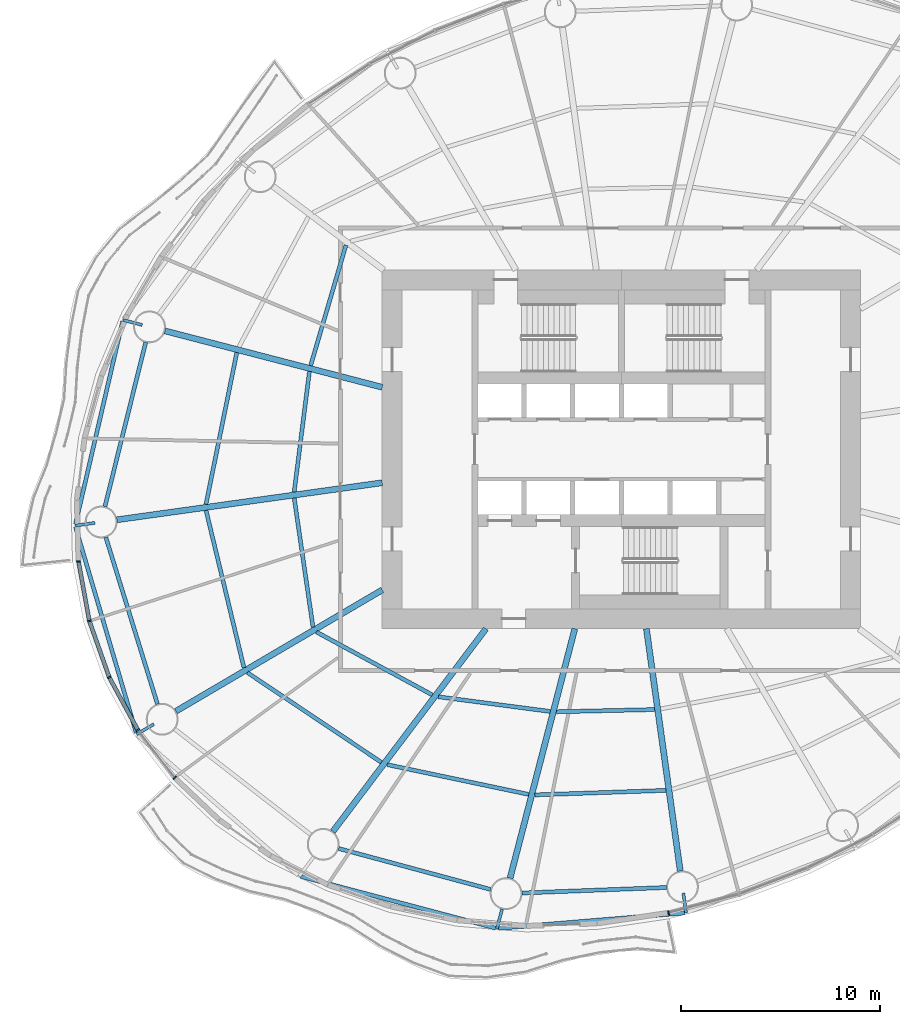
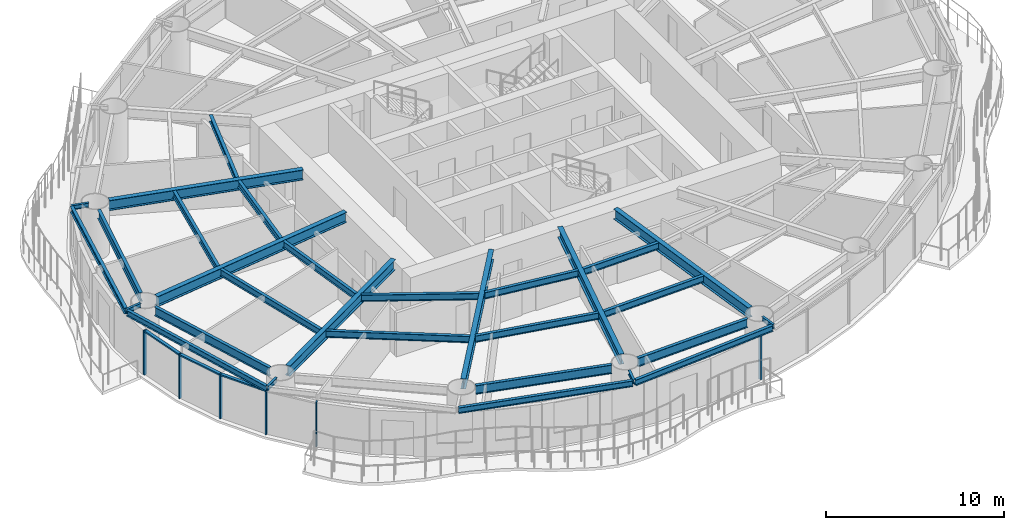
# One storey, part 2 of 15: 30 beams, 9 members, 5 elements without a shape of their own.
"""IFC4 building model written with IfcOpenShell, lengths in metres."""

from ifc_helpers import new_model, si_unit, direction, frame, origin, origin_2d, place, context, subcontext, project, spatial, rectangle, i_section, extrude, material, material_profile, profile_set, type_object, element, aggregate, save


model = new_model("IFC4")

# Units and contexts
model_context = context("Model", 3, precision=1e-05, world=origin(), true_north=direction((0.0, 1.0)))
body_context = subcontext(model_context, "Body", "Model", "MODEL_VIEW")
ifc_project = project(units=[si_unit("LENGTHUNIT", "METRE"), si_unit("AREAUNIT", "SQUARE_METRE"), si_unit("VOLUMEUNIT", "CUBIC_METRE"), si_unit("PLANEANGLEUNIT", "RADIAN"), si_unit("MASSUNIT", "GRAM", prefix="KILO")], contexts=[model_context])

# Site, building, storey
site_placement = place(None, origin())
site = spatial("IfcSite", under=ifc_project, at=site_placement, CompositionType="ELEMENT")
building_placement = place(site_placement, origin())
building = spatial("IfcBuilding", under=site, at=building_placement, Name="Vermilion Reach Broadcast Tower", CompositionType="ELEMENT")
storey_placement = place(building_placement, frame((0.0, 0.0, 128.199951171875)))
storey = spatial("IfcBuildingStorey", under=building, at=storey_placement, Name="L30", CompositionType="ELEMENT", Elevation=128.199951171875)

# Beams
ifc_material_1 = material(Name="Steel S355J2", Category="steel")
ifc_material_profile_1 = material_profile(ifc_material_1, i_section(OverallWidth=0.199951171875, OverallDepth=0.39990234375, WebThickness=0.008056640625, FlangeThickness=0.012939453125, at=origin_2d()), Name="S355J2 HN 400x200x8x13")
ifc_profile_set_1 = profile_set([ifc_material_profile_1], Name="Steel S355J2")
beam_type_1 = type_object("IfcBeamType", Name="EB2 HN 400x200x8x13", PredefinedType="BEAM", material=ifc_profile_set_1)
beam_1_placement = place(storey_placement, frame((-31.028564453125, 6.418701171875, 3.25), z_axis=(-0.226573857574, -0.973993987181, 0.0), x_axis=(0.973993987181, -0.226573857574, 0.0)))
element("IfcBeam", 1, at=beam_1_placement, inside=storey, type_object=beam_type_1, Name="Edge beam EB2-07", PredefinedType="BEAM", context=body_context, shape_type="SweptSolid", body=[
    extrude(i_section(OverallWidth=0.199951171875, OverallDepth=0.39990234375, WebThickness=0.008056640625, FlangeThickness=0.012939453125, at=origin_2d()), origin(), (0.0, 0.0, 1.0), 10.440185546875),
])
beam_2_placement = place(storey_placement, frame((-33.390869140625, -3.90087890625, 3.25), z_axis=(0.282904250586, -0.959148155918, 0.0), x_axis=(0.959148155918, 0.282904250586, 0.0)))
element("IfcBeam", 2, at=beam_2_placement, inside=storey, type_object=beam_type_1, Name="Edge beam EB2-08", PredefinedType="BEAM", context=body_context, shape_type="SweptSolid", body=[
    extrude(i_section(OverallWidth=0.199951171875, OverallDepth=0.39990234375, WebThickness=0.008056640625, FlangeThickness=0.012939453125, at=origin_2d()), origin(), (0.0, 0.0, 1.0), 10.763916015625),
])
beam_3_placement = place(storey_placement, frame((-22.086181640625, -21.432861328125, 3.25), z_axis=(0.966600265472, -0.256288756657, 0.0), x_axis=(0.256288756657, 0.966600265472, 0.0)))
element("IfcBeam", 3, at=beam_3_placement, inside=storey, type_object=beam_type_1, Name="Edge beam EB2-10", PredefinedType="BEAM", context=body_context, shape_type="SweptSolid", body=[
    extrude(i_section(OverallWidth=0.199951171875, OverallDepth=0.39990234375, WebThickness=0.008056640625, FlangeThickness=0.012939453125, at=origin_2d()), origin(), (0.0, 0.0, 1.0), 10.11083984375),
])
beam_4_placement = place(storey_placement, frame((-12.161376953125, -24.036865234375, 3.25), z_axis=(0.996606428797, 0.082314191242, 0.0), x_axis=(-0.082314191242, 0.996606428797, 0.0)))
element("IfcBeam", 4, at=beam_4_placement, inside=storey, type_object=beam_type_1, Name="Edge beam EB2-11", PredefinedType="BEAM", context=body_context, shape_type="SweptSolid", body=[
    extrude(i_section(OverallWidth=0.199951171875, OverallDepth=0.39990234375, WebThickness=0.008056640625, FlangeThickness=0.012939453125, at=origin_2d()), origin(), (0.0, 0.0, 1.0), 9.366455078125),
])
ifc_material_2 = material(Name="Steel S355J2", Category="steel")
ifc_material_profile_2 = material_profile(ifc_material_2, i_section(OverallWidth=0.300048828125, OverallDepth=0.699951171875, WebThickness=0.012939453125, FlangeThickness=0.02392578125, at=origin_2d()), Name="S355J2 HN 700x300x13x24")
ifc_profile_set_2 = profile_set([ifc_material_profile_2], Name="Steel S355J2")
beam_type_2 = type_object("IfcBeamType", Name="G2 HN 700x300x13x24", PredefinedType="BEAM", material=ifc_profile_set_2)
beam_5_placement = place(storey_placement, frame((-18.0, 3.114501953125, 3.10009765625), z_axis=(-0.967926079816, 0.2512351568, 0.0), x_axis=(-0.2512351568, -0.967926079816, 0.0)))
element("IfcBeam", 5, at=beam_5_placement, inside=storey, type_object=beam_type_2, Name="Girder G2-07", PredefinedType="BEAM", context=body_context, shape_type="SweptSolid", body=[
    extrude(i_section(OverallWidth=0.300048828125, OverallDepth=0.699951171875, WebThickness=0.012939453125, FlangeThickness=0.02392578125, at=origin_2d()), origin(), (0.0, 0.0, 1.0), 11.265625),
])
beam_6_placement = place(storey_placement, frame((-18.0, -1.67578125, 3.10009765625), z_axis=(-0.990389457618, -0.138306623986, 0.0), x_axis=(0.138306623986, -0.990389457618, 0.0)))
element("IfcBeam", 6, at=beam_6_placement, inside=storey, type_object=beam_type_2, Name="Girder G2-08", PredefinedType="BEAM", context=body_context, shape_type="SweptSolid", body=[
    extrude(i_section(OverallWidth=0.300048828125, OverallDepth=0.699951171875, WebThickness=0.012939453125, FlangeThickness=0.02392578125, at=origin_2d()), origin(), (0.0, 0.0, 1.0), 13.445556640625),
])
beam_7_placement = place(storey_placement, frame((-18.0, -7.054443359375, 3.10009765625), z_axis=(-0.862071616631, -0.506786471603, 0.0), x_axis=(0.506786471603, -0.862071616631, 0.0)))
element("IfcBeam", 7, at=beam_7_placement, inside=storey, type_object=beam_type_2, Name="Girder G2-09", PredefinedType="BEAM", context=body_context, shape_type="SweptSolid", body=[
    extrude(i_section(OverallWidth=0.300048828125, OverallDepth=0.699951171875, WebThickness=0.012939453125, FlangeThickness=0.02392578125, at=origin_2d()), origin(), (0.0, 0.0, 1.0), 12.01025390625),
])
beam_8_placement = place(storey_placement, frame((-12.794189453125, -9.0, 3.10009765625), z_axis=(-0.602519842365, -0.798103902733, 0.0), x_axis=(0.798103902733, -0.602519842365, 0.0)))
element("IfcBeam", 8, at=beam_8_placement, inside=storey, type_object=beam_type_2, Name="Girder G2-10", PredefinedType="BEAM", context=body_context, shape_type="SweptSolid", body=[
    extrude(i_section(OverallWidth=0.300048828125, OverallDepth=0.699951171875, WebThickness=0.012939453125, FlangeThickness=0.02392578125, at=origin_2d()), origin(), (0.0, 0.0, 1.0), 12.758544921875),
])
beam_9_placement = place(storey_placement, frame((-8.3359375, -9.0, 3.10009765625), z_axis=(-0.25121695316, -0.967930804575, 0.0), x_axis=(0.967930804575, -0.25121695316, 0.0)))
element("IfcBeam", 9, at=beam_9_placement, inside=storey, type_object=beam_type_2, Name="Girder G2-11", PredefinedType="BEAM", context=body_context, shape_type="SweptSolid", body=[
    extrude(i_section(OverallWidth=0.300048828125, OverallDepth=0.699951171875, WebThickness=0.012939453125, FlangeThickness=0.02392578125, at=origin_2d()), origin(), (0.0, 0.0, 1.0), 12.93505859375),
])
beam_10_placement = place(storey_placement, frame((-4.7431640625, -9.0, 3.10009765625), z_axis=(0.138317561234, -0.990387930184, 0.0), x_axis=(0.990387930184, 0.138317561234, 0.0)))
element("IfcBeam", 10, at=beam_10_placement, inside=storey, type_object=beam_type_2, Name="Girder G2-12", PredefinedType="BEAM", context=body_context, shape_type="SweptSolid", body=[
    extrude(i_section(OverallWidth=0.300048828125, OverallDepth=0.699951171875, WebThickness=0.012939453125, FlangeThickness=0.02392578125, at=origin_2d()), origin(), (0.0, 0.0, 1.0), 12.281494140625),
])
ifc_material_3 = material(Name="Steel S355J2", Category="steel")
ifc_material_profile_3 = material_profile(ifc_material_3, i_section(OverallWidth=0.14990234375, OverallDepth=0.300048828125, WebThickness=0.006591796875, FlangeThickness=0.009033203125, at=origin_2d()), Name="S355J2 HN 300x150x6.5x9")
ifc_profile_set_3 = profile_set([ifc_material_profile_3], Name="Steel S355J2")
beam_type_3 = type_object("IfcBeamType", Name="GS2 HN 300x150x6.5x9", PredefinedType="BEAM", material=ifc_profile_set_3)
for number, where, z_axis, x_axis, name in (
    (11, (-30.043701171875, 6.240478515625, 3.300048828125), (-0.967935368459, 0.251199368006, 0.0), (-0.251199368006, -0.967935368459, 0.0), "Cantilever stub GS2-07"),
    (12, (-32.421875, -3.68994140625, 3.300048828125), (-0.990408003315, -0.13817375644, 0.0), (0.13817375644, -0.990408003315, 0.0), "Cantilever stub GS2-08"),
):
    element("IfcBeam", number, at=place(storey_placement, frame(where, z_axis=z_axis, x_axis=x_axis)), inside=storey, type_object=beam_type_3, Name=name, PredefinedType="BEAM", context=body_context, shape_type="SweptSolid", body=[
        extrude(i_section(OverallWidth=0.14990234375, OverallDepth=0.300048828125, WebThickness=0.006591796875, FlangeThickness=0.009033203125, at=origin_2d()), origin(), (0.0, 0.0, 1.0), 1.0),
    ])
beam_11_placement = place(storey_placement, frame((-29.461669921875, -13.79248046875, 3.300048828125), z_axis=(-0.862109854745, -0.506721420853, 0.0), x_axis=(0.506721420853, -0.862109854745, 0.0)))
element("IfcBeam", 13, at=beam_11_placement, inside=storey, type_object=beam_type_3, Name="Cantilever stub GS2-09", PredefinedType="BEAM", context=body_context, shape_type="SweptSolid", body=[
    extrude(i_section(OverallWidth=0.14990234375, OverallDepth=0.300048828125, WebThickness=0.006591796875, FlangeThickness=0.009033203125, at=origin_2d()), origin(), (0.0, 0.0, 1.0), 1.000244140625),
])
beam_12_placement = place(storey_placement, frame((-11.987548828125, -23.06884765625, 3.300048828125), z_axis=(-0.251197763787, -0.967935784786, 0.0), x_axis=(0.967935784786, -0.251197763787, 0.0)))
element("IfcBeam", 14, at=beam_12_placement, inside=storey, type_object=beam_type_3, Name="Cantilever stub GS2-11", PredefinedType="BEAM", context=body_context, shape_type="SweptSolid", body=[
    extrude(i_section(OverallWidth=0.14990234375, OverallDepth=0.300048828125, WebThickness=0.006591796875, FlangeThickness=0.009033203125, at=origin_2d()), origin(), (0.0, 0.0, 1.0), 1.0068359375),
])
beam_13_placement = place(storey_placement, frame((-2.89013671875, -22.269287109375, 3.300048828125), z_axis=(0.138413206764, -0.990374567622, 0.0), x_axis=(0.990374567622, 0.138413206764, 0.0)))
element("IfcBeam", 15, at=beam_13_placement, inside=storey, type_object=beam_type_3, Name="Cantilever stub GS2-12", PredefinedType="BEAM", context=body_context, shape_type="SweptSolid", body=[
    extrude(i_section(OverallWidth=0.14990234375, OverallDepth=0.300048828125, WebThickness=0.006591796875, FlangeThickness=0.009033203125, at=origin_2d()), origin(), (0.0, 0.0, 1.0), 1.0),
])
ifc_material_4 = material(Name="Steel S355J2", Category="steel")
ifc_material_profile_4 = material_profile(ifc_material_4, i_section(OverallWidth=0.199951171875, OverallDepth=0.60009765625, WebThickness=0.010986328125, FlangeThickness=0.01708984375, at=origin_2d()), Name="S355J2 HN 600x200x11x17")
ifc_profile_set_4 = profile_set([ifc_material_profile_4], Name="Steel S355J2")
beam_type_4 = type_object("IfcBeamType", Name="RB2 HN 600x200x11x17", PredefinedType="BEAM", material=ifc_profile_set_4)
beam_14_placement = place(storey_placement, frame((-29.871337890625, 5.369384765625, 3.150146484375), z_axis=(-0.240863809798, -0.970558924089, 0.0), x_axis=(0.970558924089, -0.240863809798, 0.0)))
element("IfcBeam", 16, at=beam_14_placement, inside=storey, type_object=beam_type_4, Name="Ring beam RB2-07", PredefinedType="BEAM", context=body_context, shape_type="SweptSolid", body=[
    extrude(i_section(OverallWidth=0.199951171875, OverallDepth=0.60009765625, WebThickness=0.010986328125, FlangeThickness=0.01708984375, at=origin_2d()), origin(), (0.0, 0.0, 1.0), 8.489013671875),
])
beam_15_placement = place(storey_placement, frame((-31.872314453125, -4.410400390625, 3.150146484375), z_axis=(0.295788439635, -0.95525347368, 0.0), x_axis=(0.95525347368, 0.295788439635, 0.0)))
element("IfcBeam", 17, at=beam_15_placement, inside=storey, type_object=beam_type_4, Name="Ring beam RB2-08", PredefinedType="BEAM", context=body_context, shape_type="SweptSolid", body=[
    extrude(i_section(OverallWidth=0.199951171875, OverallDepth=0.60009765625, WebThickness=0.010986328125, FlangeThickness=0.01708984375, at=origin_2d()), origin(), (0.0, 0.0, 1.0), 8.763916015625),
])
beam_16_placement = place(storey_placement, frame((-20.19091796875, -20.029296875, 3.150146484375), z_axis=(0.965541463834, -0.260249268234, 0.0), x_axis=(0.260249268234, 0.965541463834, 0.0)))
element("IfcBeam", 18, at=beam_16_placement, inside=storey, type_object=beam_type_4, Name="Ring beam RB2-10", PredefinedType="BEAM", context=body_context, shape_type="SweptSolid", body=[
    extrude(i_section(OverallWidth=0.199951171875, OverallDepth=0.60009765625, WebThickness=0.010986328125, FlangeThickness=0.01708984375, at=origin_2d()), origin(), (0.0, 0.0, 1.0), 7.904541015625),
])
beam_17_placement = place(storey_placement, frame((-10.987060546875, -22.263916015625, 3.150146484375), z_axis=(0.999268558327, 0.038240663418, 0.0), x_axis=(-0.038240663418, 0.999268558327, 0.0)))
element("IfcBeam", 19, at=beam_17_placement, inside=storey, type_object=beam_type_4, Name="Ring beam RB2-11", PredefinedType="BEAM", context=body_context, shape_type="SweptSolid", body=[
    extrude(i_section(OverallWidth=0.199951171875, OverallDepth=0.60009765625, WebThickness=0.010986328125, FlangeThickness=0.01708984375, at=origin_2d()), origin(), (0.0, 0.0, 1.0), 7.259033203125),
])
ifc_material_5 = material(Name="Steel S355J2", Category="steel")
ifc_material_profile_5 = material_profile(ifc_material_5, i_section(OverallWidth=0.199951171875, OverallDepth=0.449951171875, WebThickness=0.009033203125, FlangeThickness=0.013916015625, at=origin_2d()), Name="S355J2 HN 450x200x9x14")
ifc_profile_set_5 = profile_set([ifc_material_profile_5], Name="Steel S355J2")
beam_type_5 = type_object("IfcBeamType", Name="SB2 HN 450x200x9x14", PredefinedType="BEAM", material=ifc_profile_set_5)
beam_18_placement = place(storey_placement, frame((-19.821533203125, 10.246337890625, 3.22509765625), z_axis=(-0.281175657723, -0.959656318431, 0.0), x_axis=(0.959656318431, -0.281175657723, 0.0)))
element("IfcBeam", 20, at=beam_18_placement, inside=storey, type_object=beam_type_5, Name="Secondary beam SB2-06-1", PredefinedType="BEAM", context=body_context, shape_type="SweptSolid", body=[
    extrude(i_section(OverallWidth=0.199951171875, OverallDepth=0.449951171875, WebThickness=0.009033203125, FlangeThickness=0.013916015625, at=origin_2d()), origin(), (0.0, 0.0, 1.0), 6.298583984375),
])
beam_19_placement = place(storey_placement, frame((-21.65380859375, 3.907958984375, 3.22509765625), z_axis=(-0.125557241128, -0.992086376885, 0.0), x_axis=(0.992086376885, -0.125557241128, 0.0)))
element("IfcBeam", 21, at=beam_19_placement, inside=storey, type_object=beam_type_5, Name="Secondary beam SB2-07-1", PredefinedType="BEAM", context=body_context, shape_type="SweptSolid", body=[
    extrude(i_section(OverallWidth=0.199951171875, OverallDepth=0.449951171875, WebThickness=0.009033203125, FlangeThickness=0.013916015625, at=origin_2d()), origin(), (0.0, 0.0, 1.0), 6.097900390625),
])
beam_20_placement = place(storey_placement, frame((-25.29931640625, 4.854248046875, 3.22509765625), z_axis=(-0.19906416804, -0.979986457561, 0.0), x_axis=(0.979986457561, -0.19906416804, 0.0)))
element("IfcBeam", 22, at=beam_20_placement, inside=storey, type_object=beam_type_5, Name="Secondary beam SB2-07-2", PredefinedType="BEAM", context=body_context, shape_type="SweptSolid", body=[
    extrude(i_section(OverallWidth=0.199951171875, OverallDepth=0.449951171875, WebThickness=0.009033203125, FlangeThickness=0.013916015625, at=origin_2d()), origin(), (0.0, 0.0, 1.0), 7.76953125),
])
beam_21_placement = place(storey_placement, frame((-22.417236328125, -2.444091796875, 3.22509765625), z_axis=(0.143973706518, -0.989581513485, 0.0), x_axis=(0.989581513485, 0.143973706518, 0.0)))
element("IfcBeam", 23, at=beam_21_placement, inside=storey, type_object=beam_type_5, Name="Secondary beam SB2-08-1", PredefinedType="BEAM", context=body_context, shape_type="SweptSolid", body=[
    extrude(i_section(OverallWidth=0.199951171875, OverallDepth=0.449951171875, WebThickness=0.009033203125, FlangeThickness=0.013916015625, at=origin_2d()), origin(), (0.0, 0.0, 1.0), 6.547119140625),
])
beam_22_placement = place(storey_placement, frame((-26.84228515625, -3.06201171875, 3.22509765625), z_axis=(0.234260568382, -0.972173845617, 0.0), x_axis=(0.972173845617, 0.234260568382, 0.0)))
element("IfcBeam", 24, at=beam_22_placement, inside=storey, type_object=beam_type_5, Name="Secondary beam SB2-08-2", PredefinedType="BEAM", context=body_context, shape_type="SweptSolid", body=[
    extrude(i_section(OverallWidth=0.199951171875, OverallDepth=0.449951171875, WebThickness=0.009033203125, FlangeThickness=0.013916015625, at=origin_2d()), origin(), (0.0, 0.0, 1.0), 8.123779296875),
])
beam_23_placement = place(storey_placement, frame((-21.29736328125, -9.1669921875, 3.22509765625), z_axis=(0.878713106774, -0.477350265512, 0.0), x_axis=(0.477350265512, 0.878713106774, 0.0)))
element("IfcBeam", 25, at=beam_23_placement, inside=storey, type_object=beam_type_5, Name="Secondary beam SB2-09-1", PredefinedType="BEAM", context=body_context, shape_type="SweptSolid", body=[
    extrude(i_section(OverallWidth=0.199951171875, OverallDepth=0.449951171875, WebThickness=0.009033203125, FlangeThickness=0.013916015625, at=origin_2d()), origin(), (0.0, 0.0, 1.0), 6.60888671875),
])
beam_24_placement = place(storey_placement, frame((-24.76416015625, -11.204833984375, 3.22509765625), z_axis=(0.830915400975, -0.556398774641, 0.0), x_axis=(0.556398774641, 0.830915400975, 0.0)))
element("IfcBeam", 26, at=beam_24_placement, inside=storey, type_object=beam_type_5, Name="Secondary beam SB2-09-2", PredefinedType="BEAM", context=body_context, shape_type="SweptSolid", body=[
    extrude(i_section(OverallWidth=0.199951171875, OverallDepth=0.449951171875, WebThickness=0.009033203125, FlangeThickness=0.013916015625, at=origin_2d()), origin(), (0.0, 0.0, 1.0), 8.087646484375),
])
beam_25_placement = place(storey_placement, frame((-15.185546875, -12.416748046875, 3.22509765625), z_axis=(0.991498686864, -0.130116693573, 0.0), x_axis=(0.130116693573, 0.991498686864, 0.0)))
element("IfcBeam", 27, at=beam_25_placement, inside=storey, type_object=beam_type_5, Name="Secondary beam SB2-10-1", PredefinedType="BEAM", context=body_context, shape_type="SweptSolid", body=[
    extrude(i_section(OverallWidth=0.199951171875, OverallDepth=0.449951171875, WebThickness=0.009033203125, FlangeThickness=0.013916015625, at=origin_2d()), origin(), (0.0, 0.0, 1.0), 5.66455078125),
])
beam_26_placement = place(storey_placement, frame((-17.7568359375, -15.822509765625, 3.22509765625), z_axis=(0.978631382549, -0.205622511148, 0.0), x_axis=(0.205622511148, 0.978631382549, 0.0)))
element("IfcBeam", 28, at=beam_26_placement, inside=storey, type_object=beam_type_5, Name="Secondary beam SB2-10-2", PredefinedType="BEAM", context=body_context, shape_type="SweptSolid", body=[
    extrude(i_section(OverallWidth=0.199951171875, OverallDepth=0.449951171875, WebThickness=0.009033203125, FlangeThickness=0.013916015625, at=origin_2d()), origin(), (0.0, 0.0, 1.0), 7.262939453125),
])
beam_27_placement = place(storey_placement, frame((-9.26318359375, -13.169921875, 3.22509765625), z_axis=(0.999742320425, 0.022700060602, 0.0), x_axis=(-0.022700060602, 0.999742320425, 0.0)))
element("IfcBeam", 29, at=beam_27_placement, inside=storey, type_object=beam_type_5, Name="Secondary beam SB2-11-1", PredefinedType="BEAM", context=body_context, shape_type="SweptSolid", body=[
    extrude(i_section(OverallWidth=0.199951171875, OverallDepth=0.449951171875, WebThickness=0.009033203125, FlangeThickness=0.013916015625, at=origin_2d()), origin(), (0.0, 0.0, 1.0), 4.9365234375),
])
beam_28_placement = place(storey_placement, frame((-10.345947265625, -17.34130859375, 3.22509765625), z_axis=(0.999404722387, 0.03449928797, 0.0), x_axis=(-0.03449928797, 0.999404722387, 0.0)))
element("IfcBeam", 30, at=beam_28_placement, inside=storey, type_object=beam_type_5, Name="Secondary beam SB2-11-2", PredefinedType="BEAM", context=body_context, shape_type="SweptSolid", body=[
    extrude(i_section(OverallWidth=0.199951171875, OverallDepth=0.449951171875, WebThickness=0.009033203125, FlangeThickness=0.013916015625, at=origin_2d()), origin(), (0.0, 0.0, 1.0), 6.58837890625),
])

# Curtain wall, member
ifc_material_6 = material(Name="Low-e laminated clear glass in aluminium frame", Category="aluminium")
curtain_wall_type = type_object("IfcCurtainWallType", Name="Slot curtain wall", PredefinedType="NOTDEFINED", material=ifc_material_6)
placement = place(storey_placement, origin())
curtain_wall_1 = element("IfcCurtainWall", 31, at=placement, inside=storey, type_object=curtain_wall_type, Name="Slot curtain wall L30 22", PredefinedType="NOTDEFINED")
ifc_material_7 = material(Name="Anodised aluminium", Category="aluminium")
ifc_material_profile_6 = material_profile(ifc_material_7, rectangle(XDim=0.199951171875, YDim=0.080078125, at=origin_2d()), Name="Slot mullion 80 x 200")
ifc_profile_set_6 = profile_set([ifc_material_profile_6], Name="Anodised aluminium")
member_type_1 = type_object("IfcMemberType", Name="Slot mullion 80 x 200", PredefinedType="MULLION", material=ifc_profile_set_6)
member_1_placement = place(storey_placement, frame((-33.243408203125, -5.630859375, 0.0), z_axis=(0.0, 0.0, 1.0), x_axis=(0.99465504967, 0.103253727128, 0.0)))
member_1 = element("IfcMember", 32, at=member_1_placement, type_object=member_type_1, Name="Slot mullion L30 22", PredefinedType="MULLION", context=body_context, shape_type="SweptSolid", body=[
    extrude(rectangle(XDim=0.199951171875, YDim=0.080078125, at=origin_2d()), origin(), (0.0, 0.0, 1.0), 3.050048828125),
])

curtain_wall_2 = element("IfcCurtainWall", 33, at=placement, inside=storey, type_object=curtain_wall_type, Name="Slot curtain wall L30 23", PredefinedType="NOTDEFINED")
member_2_placement = place(storey_placement, frame((-32.698974609375, -8.6103515625, 0.0), z_axis=(0.0, 0.0, 1.0), x_axis=(0.966415903265, 0.2569830771, 0.0)))
member_2 = element("IfcMember", 34, at=member_2_placement, type_object=member_type_1, Name="Slot mullion L30 23", PredefinedType="MULLION", context=body_context, shape_type="SweptSolid", body=[
    extrude(rectangle(XDim=0.199951171875, YDim=0.080078125, at=origin_2d()), origin(), (0.0, 0.0, 1.0), 3.050048828125),
])

curtain_wall_3 = element("IfcCurtainWall", 35, at=placement, inside=storey, type_object=curtain_wall_type, Name="Slot curtain wall L30 24", PredefinedType="NOTDEFINED")
member_3_placement = place(storey_placement, frame((-31.7001953125, -11.4423828125, 0.0), z_axis=(0.0, 0.0, 1.0), x_axis=(0.913545481623, 0.406736589216, 0.0)))
member_3 = element("IfcMember", 36, at=member_3_placement, type_object=member_type_1, Name="Slot mullion L30 24", PredefinedType="MULLION", context=body_context, shape_type="SweptSolid", body=[
    extrude(rectangle(XDim=0.199951171875, YDim=0.080078125, at=origin_2d()), origin(), (0.0, 0.0, 1.0), 3.050048828125),
])

# Curtain wall, members
curtain_wall_4 = element("IfcCurtainWall", 37, at=placement, inside=storey, type_object=curtain_wall_type, Name="Slot curtain wall L30 25", PredefinedType="NOTDEFINED")
member_4_placement = place(storey_placement, frame((-30.263671875, -14.079833984375, 0.0), z_axis=(0.0, 0.0, 1.0), x_axis=(0.83763413254, 0.546231690773, 0.0)))
member_4 = element("IfcMember", 38, at=member_4_placement, type_object=member_type_1, Name="Slot mullion L30 25", PredefinedType="MULLION", context=body_context, shape_type="SweptSolid", body=[
    extrude(rectangle(XDim=0.199951171875, YDim=0.080078125, at=origin_2d()), origin(), (0.0, 0.0, 1.0), 3.050048828125),
])
member_5_placement = place(storey_placement, frame((-28.413818359375, -16.47802734375, 0.0), z_axis=(0.0, 0.0, 1.0), x_axis=(0.742286619693, 0.670082512997, 0.0)))
member_5 = element("IfcMember", 39, at=member_5_placement, type_object=member_type_1, Name="Slot mullion L30 26", PredefinedType="MULLION", context=body_context, shape_type="SweptSolid", body=[
    extrude(rectangle(XDim=0.199951171875, YDim=0.080078125, at=origin_2d()), origin(), (0.0, 0.0, 1.0), 3.050048828125),
])
aggregate(curtain_wall_4, [member_4, member_5])

# Curtain wall, member
curtain_wall_5 = element("IfcCurtainWall", 40, at=placement, inside=storey, type_object=curtain_wall_type, Name="Slot curtain wall L30 34", PredefinedType="NOTDEFINED")
member_6_placement = place(storey_placement, frame((-3.62939453125, -23.25830078125, 0.0), z_axis=(0.0, 0.0, 1.0), x_axis=(-0.201060723294, 0.979578779654, 0.0)))
member_6 = element("IfcMember", 41, at=member_6_placement, type_object=member_type_1, Name="Slot mullion L30 34", PredefinedType="MULLION", context=body_context, shape_type="SweptSolid", body=[
    extrude(rectangle(XDim=0.199951171875, YDim=0.080078125, at=origin_2d()), origin(), (0.0, 0.0, 1.0), 3.050048828125),
])
aggregate(curtain_wall_5, [member_6])

# Member
ifc_material_8 = material(Name="Anodised aluminium", Category="aluminium")
ifc_material_profile_7 = material_profile(ifc_material_8, rectangle(XDim=0.199951171875, YDim=0.10009765625, at=origin_2d()), Name="Slot transom 200 x 100")
ifc_profile_set_7 = profile_set([ifc_material_profile_7], Name="Anodised aluminium")
member_type_2 = type_object("IfcMemberType", Name="Slot transom 200 x 100", PredefinedType="USERDEFINED", material=ifc_profile_set_7)
member_7_placement = place(storey_placement, frame((-33.236083984375, -5.670166015625, 3.0), z_axis=(0.179737780176, -0.983714557368, 0.0), x_axis=(0.983714557368, 0.179737780176, 0.0)))
member_7 = element("IfcMember", 42, at=member_7_placement, type_object=member_type_2, Name="Slot transom L30 22.1", ObjectType="TRANSOM", PredefinedType="USERDEFINED", context=body_context, shape_type="SweptSolid", body=[
    extrude(rectangle(XDim=0.199951171875, YDim=0.10009765625, at=origin_2d()), origin(), (0.0, 0.0, 1.0), 2.948974609375),
])

aggregate(curtain_wall_1, [member_1, member_7])

member_8_placement = place(storey_placement, frame((-32.685546875, -8.64794921875, 3.0), z_axis=(0.332566726443, -0.943079727522, 0.0), x_axis=(0.943079727522, 0.332566726443, 0.0)))
member_8 = element("IfcMember", 43, at=member_8_placement, type_object=member_type_2, Name="Slot transom L30 23.1", ObjectType="TRANSOM", PredefinedType="USERDEFINED", context=body_context, shape_type="SweptSolid", body=[
    extrude(rectangle(XDim=0.199951171875, YDim=0.10009765625, at=origin_2d()), origin(), (0.0, 0.0, 1.0), 2.92333984375),
])

aggregate(curtain_wall_2, [member_2, member_8])

member_9_placement = place(storey_placement, frame((-31.680908203125, -11.4775390625, 3.0), z_axis=(0.478243426703, -0.878227319557, 0.0), x_axis=(0.878227319557, 0.478243426703, 0.0)))
member_9 = element("IfcMember", 44, at=member_9_placement, type_object=member_type_2, Name="Slot transom L30 24.1", ObjectType="TRANSOM", PredefinedType="USERDEFINED", context=body_context, shape_type="SweptSolid", body=[
    extrude(rectangle(XDim=0.199951171875, YDim=0.10009765625, at=origin_2d()), origin(), (0.0, 0.0, 1.0), 2.923095703125),
])

aggregate(curtain_wall_3, [member_3, member_9])

save(model, "model.ifc")
